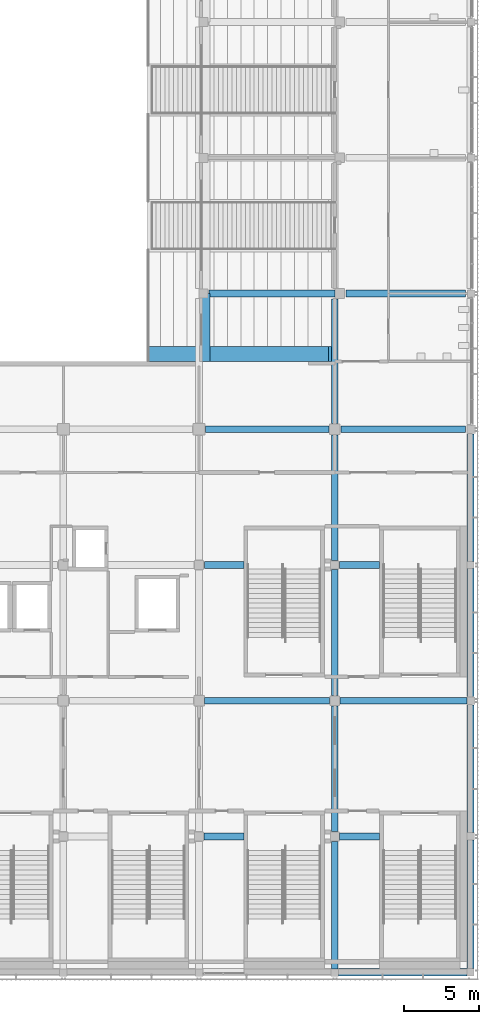
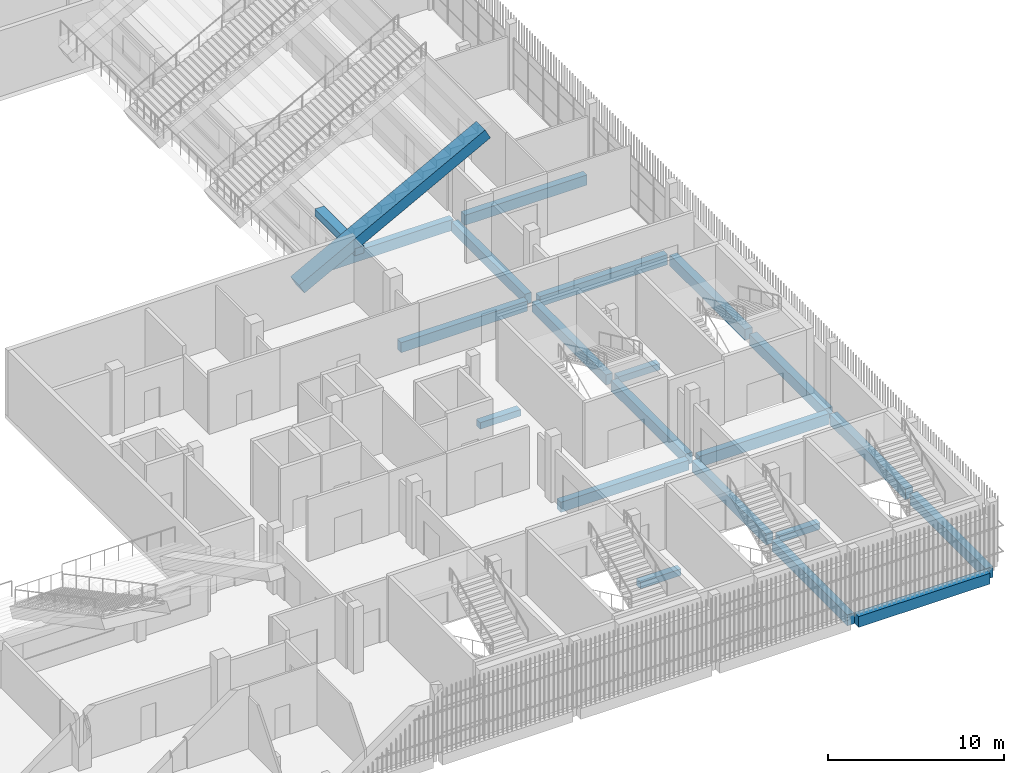
# One storey, part 55 of 139: 22 beams.
"""IFC4 building model written with IfcOpenShell, lengths in metres."""

from ifc_helpers import new_model, si_unit, direction, frame, origin, origin_2d, place, context, subcontext, project, spatial, rectangle, extrude, material, material_profile, profile_set, type_object, element, save


model = new_model("IFC4")

# Units and contexts
model_context = context("Model", 3, precision=1e-05, world=origin(), true_north=direction((0.0, 1.0)))
body_context = subcontext(model_context, "Body", "Model", "MODEL_VIEW")
ifc_project = project(units=[si_unit("LENGTHUNIT", "METRE"), si_unit("AREAUNIT", "SQUARE_METRE"), si_unit("VOLUMEUNIT", "CUBIC_METRE"), si_unit("PLANEANGLEUNIT", "RADIAN"), si_unit("MASSUNIT", "GRAM", prefix="KILO")], contexts=[model_context])

# Site, building, storey
site_placement = place(None, origin())
site = spatial("IfcSite", under=ifc_project, at=site_placement, CompositionType="ELEMENT")
building_placement = place(site_placement, origin())
building = spatial("IfcBuilding", under=site, at=building_placement, Name="Shirokan Park Arena", CompositionType="ELEMENT")
storey_placement = place(building_placement, frame((0.0, 0.0, 15.469970703125)))
storey = spatial("IfcBuildingStorey", under=building, at=storey_placement, Name="L03", CompositionType="ELEMENT", Elevation=15.469970703125)

# Beams
ifc_material = material(Name="Concrete C35", Category="concrete")
ifc_material_profile_1 = material_profile(ifc_material, rectangle(XDim=1.0, YDim=0.75, at=origin_2d()), Name="1000x750")
ifc_profile_set_1 = profile_set([ifc_material_profile_1], Name="Concrete C35")
beam_type_1 = type_object("IfcBeamType", Name="RC end raker 1000x750", PredefinedType="USERDEFINED", material=ifc_profile_set_1)
beam_1_placement = place(storey_placement, frame((124.076416015625, 41.449951171875, 1.822509765625), z_axis=(0.882357349738, 0.0, 0.470579969147), x_axis=(0.0, 1.0, 0.0)))
element("IfcBeam", 1, at=beam_1_placement, inside=storey, type_object=beam_type_1, Name="End raker upper E 1", ObjectType="END RAKER BEAM", PredefinedType="USERDEFINED", context=body_context, shape_type="SweptSolid", body=[
    extrude(rectangle(XDim=1.0, YDim=0.75, at=origin_2d()), origin(), (0.0, 0.0, 1.0), 13.796630859375),
])
ifc_material_profile_2 = material_profile(ifc_material, rectangle(XDim=0.449951171875, YDim=0.699951171875, at=origin_2d()), Name="450x700")
ifc_profile_set_2 = profile_set([ifc_material_profile_2], Name="Concrete C35")
beam_type_2 = type_object("IfcBeamType", Name="RC girder 450x700", PredefinedType="BEAM", material=ifc_profile_set_2)
beam_2_placement = place(storey_placement, frame((127.775146484375, 18.199951171875, -0.64990234375), z_axis=(1.0, 0.0, 0.0), x_axis=(0.0, 1.0, 0.0)))
element("IfcBeam", 2, at=beam_2_placement, inside=storey, type_object=beam_type_2, Name="Girder 15C-16C L03", PredefinedType="BEAM", context=body_context, shape_type="SweptSolid", body=[
    extrude(rectangle(XDim=0.449951171875, YDim=0.699951171875, at=origin_2d()), origin(), (0.0, 0.0, 1.0), 8.374755859375),
])
beam_3_placement = place(storey_placement, frame((127.8251953125, 36.39990234375, -0.64990234375), z_axis=(1.0, 0.0, 0.0), x_axis=(0.0, 1.0, 0.0)))
element("IfcBeam", 3, at=beam_3_placement, inside=storey, type_object=beam_type_2, Name="Girder 15E-16E L03", PredefinedType="BEAM", context=body_context, shape_type="SweptSolid", body=[
    extrude(rectangle(XDim=0.449951171875, YDim=0.699951171875, at=origin_2d()), origin(), (0.0, 0.0, 1.0), 8.274658203125),
])
beam_4_placement = place(storey_placement, frame((136.900146484375, 36.39990234375, -0.64990234375), z_axis=(1.0, 0.0, 0.0), x_axis=(0.0, 1.0, 0.0)))
element("IfcBeam", 4, at=beam_4_placement, inside=storey, type_object=beam_type_2, Name="Girder 16E-17E L03", PredefinedType="BEAM", context=body_context, shape_type="SweptSolid", body=[
    extrude(rectangle(XDim=0.449951171875, YDim=0.699951171875, at=origin_2d()), origin(), (0.0, 0.0, 1.0), 8.374755859375),
])
beam_5_placement = place(storey_placement, frame((137.25, 45.5, -0.64990234375), z_axis=(1.0, 0.0, 0.0), x_axis=(0.0, 1.0, 0.0)))
element("IfcBeam", 5, at=beam_5_placement, inside=storey, type_object=beam_type_2, Name="Girder 16F-17F L03", PredefinedType="BEAM", context=body_context, shape_type="SweptSolid", body=[
    extrude(rectangle(XDim=0.449951171875, YDim=0.699951171875, at=origin_2d()), origin(), (0.0, 0.0, 1.0), 8.0),
])
beam_6_placement = place(storey_placement, frame((136.5, 27.60009765625, -0.64990234375), z_axis=(0.0, 1.0, 0.0), x_axis=(-1.0, 0.0, 0.0)))
element("IfcBeam", 6, at=beam_6_placement, inside=storey, type_object=beam_type_2, Name="Girder 16D-16E L03", PredefinedType="BEAM", context=body_context, shape_type="SweptSolid", body=[
    extrude(rectangle(XDim=0.449951171875, YDim=0.699951171875, at=origin_2d()), origin(), (0.0, 0.0, 1.0), 8.39990234375),
])
beam_7_placement = place(storey_placement, frame((136.5, 36.800048828125, -0.64990234375), z_axis=(0.0, 1.0, 0.0), x_axis=(-1.0, 0.0, 0.0)))
element("IfcBeam", 7, at=beam_7_placement, inside=storey, type_object=beam_type_2, Name="Girder 16E-16F L03", PredefinedType="BEAM", context=body_context, shape_type="SweptSolid", body=[
    extrude(rectangle(XDim=0.449951171875, YDim=0.699951171875, at=origin_2d()), origin(), (0.0, 0.0, 1.0), 8.324951171875),
])
ifc_material_profile_3 = material_profile(ifc_material, rectangle(XDim=0.449951171875, YDim=0.75, at=origin_2d()), Name="450x750")
ifc_profile_set_3 = profile_set([ifc_material_profile_3], Name="Concrete C35")
beam_type_3 = type_object("IfcBeamType", Name="RC girder 450x750", PredefinedType="BEAM", material=ifc_profile_set_3)
beam_8_placement = place(storey_placement, frame((128.050048828125, 45.5, -0.675048828125), z_axis=(1.0, 0.0, 0.0), x_axis=(0.0, 1.0, 0.0)))
element("IfcBeam", 8, at=beam_8_placement, inside=storey, type_object=beam_type_3, Name="Girder 15F-16F L03", PredefinedType="BEAM", context=body_context, shape_type="SweptSolid", body=[
    extrude(rectangle(XDim=0.449951171875, YDim=0.75, at=origin_2d()), origin(), (0.0, 0.0, 1.0), 8.449951171875),
])
beam_9_placement = place(storey_placement, frame((136.85009765625, 18.199951171875, -0.675048828125), z_axis=(1.0, 0.0, 0.0), x_axis=(0.0, 1.0, 0.0)))
element("IfcBeam", 9, at=beam_9_placement, inside=storey, type_object=beam_type_3, Name="Girder 16C-17C L03", PredefinedType="BEAM", context=body_context, shape_type="SweptSolid", body=[
    extrude(rectangle(XDim=0.449951171875, YDim=0.75, at=origin_2d()), origin(), (0.0, 0.0, 1.0), 8.499755859375),
])
beam_10_placement = place(storey_placement, frame((136.5, 0.2001953125, -0.675048828125), z_axis=(0.0, 1.0, 0.0), x_axis=(-1.0, 0.0, 0.0)))
element("IfcBeam", 10, at=beam_10_placement, inside=storey, type_object=beam_type_3, Name="Girder 16A-16B L03", PredefinedType="BEAM", context=body_context, shape_type="SweptSolid", body=[
    extrude(rectangle(XDim=0.449951171875, YDim=0.75, at=origin_2d()), origin(), (0.0, 0.0, 1.0), 8.57470703125),
])
beam_11_placement = place(storey_placement, frame((136.5, 9.425048828125, -0.675048828125), z_axis=(0.0, 1.0, 0.0), x_axis=(-1.0, 0.0, 0.0)))
element("IfcBeam", 11, at=beam_11_placement, inside=storey, type_object=beam_type_3, Name="Girder 16B-16C L03", PredefinedType="BEAM", context=body_context, shape_type="SweptSolid", body=[
    extrude(rectangle(XDim=0.449951171875, YDim=0.75, at=origin_2d()), origin(), (0.0, 0.0, 1.0), 8.4248046875),
])
beam_12_placement = place(storey_placement, frame((136.5, 18.550048828125, -0.675048828125), z_axis=(0.0, 1.0, 0.0), x_axis=(-1.0, 0.0, 0.0)))
element("IfcBeam", 12, at=beam_12_placement, inside=storey, type_object=beam_type_3, Name="Girder 16C-16D L03", PredefinedType="BEAM", context=body_context, shape_type="SweptSolid", body=[
    extrude(rectangle(XDim=0.449951171875, YDim=0.75, at=origin_2d()), origin(), (0.0, 0.0, 1.0), 8.449951171875),
])
ifc_material_profile_4 = material_profile(ifc_material, rectangle(XDim=0.5, YDim=0.75, at=origin_2d()), Name="500x750")
ifc_profile_set_4 = profile_set([ifc_material_profile_4], Name="Concrete C35")
beam_type_4 = type_object("IfcBeamType", Name="RC girder 500x750", PredefinedType="BEAM", material=ifc_profile_set_4)
for number, where, z_axis, x_axis, name in (
    (13, (136.75, 0.0, -0.675048828125), (1.0, 0.0, 0.0), (0.0, 1.0, 0.0), "Girder 16A-17A L03"),
    (14, (145.60009765625, 0.25, -0.675048828125), (0.0, 1.0, 0.0), (-1.0, 0.0, 0.0), "Girder 17A-17B L03"),
):
    element("IfcBeam", number, at=place(storey_placement, frame(where, z_axis=z_axis, x_axis=x_axis)), inside=storey, type_object=beam_type_4, Name=name, PredefinedType="BEAM", context=body_context, shape_type="SweptSolid", body=[
        extrude(rectangle(XDim=0.5, YDim=0.75, at=origin_2d()), origin(), (0.0, 0.0, 1.0), 8.599853515625),
    ])
for number, where, z_axis, x_axis, name in (
    (15, (145.60009765625, 9.35009765625, -0.675048828125), (0.0, 1.0, 0.0), (-1.0, 0.0, 0.0), "Girder 17B-17C L03"),
    (16, (145.60009765625, 18.47509765625, -0.675048828125), (0.0, 1.0, 0.0), (-1.0, 0.0, 0.0), "Girder 17C-17D L03"),
):
    element("IfcBeam", number, at=place(storey_placement, frame(where, z_axis=z_axis, x_axis=x_axis)), inside=storey, type_object=beam_type_4, Name=name, PredefinedType="BEAM", context=body_context, shape_type="SweptSolid", body=[
        extrude(rectangle(XDim=0.5, YDim=0.75, at=origin_2d()), origin(), (0.0, 0.0, 1.0), 8.57470703125),
    ])
beam_13_placement = place(storey_placement, frame((145.60009765625, 27.550048828125, -0.675048828125), z_axis=(0.0, 1.0, 0.0), x_axis=(-1.0, 0.0, 0.0)))
element("IfcBeam", 17, at=beam_13_placement, inside=storey, type_object=beam_type_4, Name="Girder 17D-17E L03", PredefinedType="BEAM", context=body_context, shape_type="SweptSolid", body=[
    extrude(rectangle(XDim=0.5, YDim=0.75, at=origin_2d()), origin(), (0.0, 0.0, 1.0), 8.52490234375),
])
ifc_material_profile_5 = material_profile(ifc_material, rectangle(XDim=0.60009765625, YDim=0.5, at=origin_2d()), Name="600x500")
ifc_profile_set_5 = profile_set([ifc_material_profile_5], Name="Concrete C35")
beam_type_5 = type_object("IfcBeamType", Name="RC stand girder end bay 600x500", PredefinedType="BEAM", material=ifc_profile_set_5)
beam_14_placement = place(storey_placement, frame((127.85009765625, 40.949951171875, 3.159912109375), z_axis=(0.0, 1.0, 0.0), x_axis=(-1.0, 0.0, 0.0)))
element("IfcBeam", 18, at=beam_14_placement, inside=storey, type_object=beam_type_5, Name="Stand girder E R3 1", PredefinedType="BEAM", context=body_context, shape_type="SweptSolid", body=[
    extrude(rectangle(XDim=0.60009765625, YDim=0.5, at=origin_2d()), origin(), (0.0, 0.0, 1.0), 4.550048828125),
])
ifc_material_profile_6 = material_profile(ifc_material, rectangle(XDim=0.449951171875, YDim=0.449951171875, at=origin_2d()), Name="450x450")
ifc_profile_set_6 = profile_set([ifc_material_profile_6], Name="Concrete C35")
beam_type_6 = type_object("IfcBeamType", Name="RC trimmer 450x450", PredefinedType="BEAM", material=ifc_profile_set_6)
beam_15_placement = place(storey_placement, frame((127.72509765625, 9.10009765625, -0.52490234375), z_axis=(1.0, 0.0, 0.0), x_axis=(0.0, 1.0, 0.0)))
element("IfcBeam", 19, at=beam_15_placement, inside=storey, type_object=beam_type_6, Name="Girder 15B-16B L03", PredefinedType="BEAM", context=body_context, shape_type="SweptSolid", body=[
    extrude(rectangle(XDim=0.449951171875, YDim=0.449951171875, at=origin_2d()), origin(), (0.0, 0.0, 1.0), 2.6748046875),
])
beam_16_placement = place(storey_placement, frame((127.75, 27.300048828125, -0.52490234375), z_axis=(1.0, 0.0, 0.0), x_axis=(0.0, 1.0, 0.0)))
element("IfcBeam", 20, at=beam_16_placement, inside=storey, type_object=beam_type_6, Name="Girder 15D-16D L03", PredefinedType="BEAM", context=body_context, shape_type="SweptSolid", body=[
    extrude(rectangle(XDim=0.449951171875, YDim=0.449951171875, at=origin_2d()), origin(), (0.0, 0.0, 1.0), 2.64990234375),
])
beam_17_placement = place(storey_placement, frame((136.8251953125, 9.10009765625, -0.52490234375), z_axis=(1.0, 0.0, 0.0), x_axis=(0.0, 1.0, 0.0)))
element("IfcBeam", 21, at=beam_17_placement, inside=storey, type_object=beam_type_6, Name="Girder 16B-17B L03", PredefinedType="BEAM", context=body_context, shape_type="SweptSolid", body=[
    extrude(rectangle(XDim=0.449951171875, YDim=0.449951171875, at=origin_2d()), origin(), (0.0, 0.0, 1.0), 2.6748046875),
])
beam_18_placement = place(storey_placement, frame((136.800048828125, 27.300048828125, -0.52490234375), z_axis=(1.0, 0.0, 0.0), x_axis=(0.0, 1.0, 0.0)))
element("IfcBeam", 22, at=beam_18_placement, inside=storey, type_object=beam_type_6, Name="Girder 16D-17D L03", PredefinedType="BEAM", context=body_context, shape_type="SweptSolid", body=[
    extrude(rectangle(XDim=0.449951171875, YDim=0.449951171875, at=origin_2d()), origin(), (0.0, 0.0, 1.0), 2.699951171875),
])

save(model, "model.ifc")
